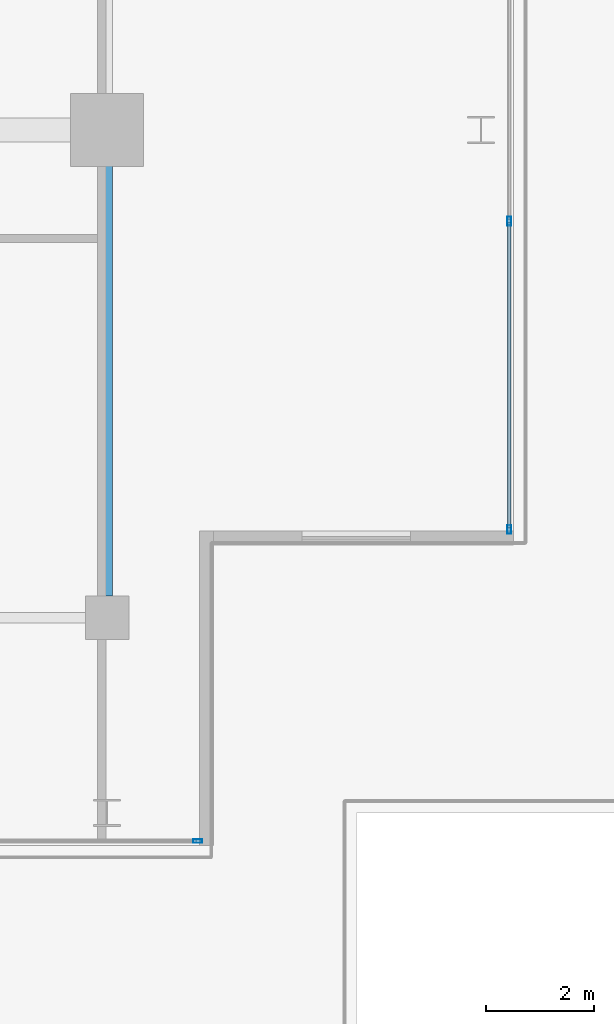
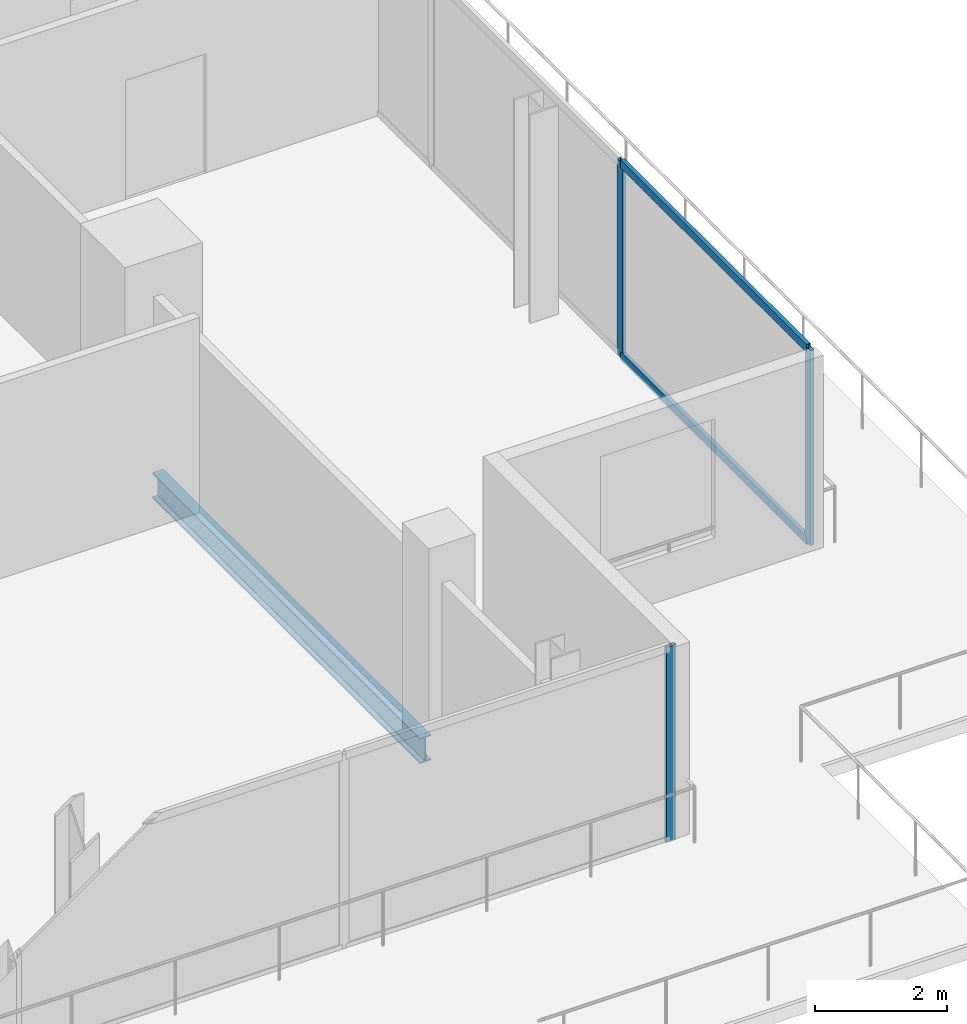
# One storey, part 9 of 21: 5 members, 1 beam, 2 elements without a shape of their own.
"""IFC4 building model written with IfcOpenShell, lengths in metres."""

from ifc_helpers import new_model, si_unit, direction, frame, origin, origin_2d, place, context, subcontext, project, spatial, hollow_rectangle, i_section, extrude, material, layer, layer_set, material_profile, profile_set, type_object, element, aggregate, save


model = new_model("IFC4")

# Units and contexts
model_context = context("Model", 3, precision=1e-05, world=origin(), true_north=direction((0.0, 1.0)))
body_context = subcontext(model_context, "Body", "Model", "MODEL_VIEW")
ifc_project = project(units=[si_unit("LENGTHUNIT", "METRE"), si_unit("AREAUNIT", "SQUARE_METRE"), si_unit("VOLUMEUNIT", "CUBIC_METRE"), si_unit("PLANEANGLEUNIT", "RADIAN"), si_unit("MASSUNIT", "GRAM", prefix="KILO")], contexts=[model_context])

# Site, building, storey
site_placement = place(None, origin())
site = spatial("IfcSite", under=ifc_project, at=site_placement, CompositionType="ELEMENT")
building_placement = place(site_placement, origin())
building = spatial("IfcBuilding", under=site, at=building_placement, Name="Maruvema Waterfront Hotel and Observation Tower", CompositionType="ELEMENT")
storey_placement = place(building_placement, frame((0.0, 0.0, 322.0)))
storey = spatial("IfcBuildingStorey", under=building, at=storey_placement, Name="L79", CompositionType="ELEMENT", Elevation=322.0)

# Curtain wall, members
ifc_material_1 = material(Name="Anodised bronze aluminium and solar-control low-E IGU", Category="aluminium")
ifc_layer = layer(ifc_material_1, 0.159912109375, Name="Zone 4 Sky Residence Inner Curtain Wall System CW-05")
ifc_layer_set = layer_set([ifc_layer], Name="Anodised bronze aluminium and solar-control low-E IGU")
curtain_wall_type = type_object("IfcCurtainWallType", Name="Zone 4 Sky Residence Inner Curtain Wall System CW-05", PredefinedType="USERDEFINED", material=ifc_layer_set)
curtain_wall_1_placement = place(storey_placement, origin())
curtain_wall_1 = element("IfcCurtainWall", 1, at=curtain_wall_1_placement, inside=storey, type_object=curtain_wall_type, Name="L79 Curtain Wall CW-L79-E", ObjectType="UNITISED CURTAIN WALL", PredefinedType="USERDEFINED")
ifc_material_2 = material(Name="Anodised architectural bronze aluminium", Category="aluminium")
ifc_material_profile_1 = material_profile(ifc_material_2, hollow_rectangle(XDim=0.070068359375, YDim=0.14990234375, WallThickness=0.00390625, at=origin_2d()), Name="ALU-T70x150")
ifc_profile_set_1 = profile_set([ifc_material_profile_1], Name="Anodised architectural bronze aluminium")
member_type_1 = type_object("IfcMemberType", Name="Curtain Wall Horizontal Transom ALU-T70x150", PredefinedType="USERDEFINED", material=ifc_profile_set_1)
member_1_placement = place(storey_placement, frame((57.820068359375, 19.659912109375, 0.030029296875), z_axis=(0.0, 1.0, 0.0), x_axis=(-1.0, 0.0, 0.0)))
member_1 = element("IfcMember", 2, at=member_1_placement, type_object=member_type_1, Name="CW-05 transom 1.1", ObjectType="TRANSOM", PredefinedType="USERDEFINED", context=body_context, shape_type="SweptSolid", body=[
    extrude(hollow_rectangle(XDim=0.070068359375, YDim=0.14990234375, WallThickness=0.00390625, at=origin_2d()), origin(), (0.0, 0.0, 1.0), 5.630126953125),
])
member_2_placement = place(storey_placement, frame((57.820068359375, 19.659912109375, 3.580078125), z_axis=(0.0, 1.0, 0.0), x_axis=(-1.0, 0.0, 0.0)))
member_2 = element("IfcMember", 3, at=member_2_placement, type_object=member_type_1, Name="CW-05 transom 1.2", ObjectType="TRANSOM", PredefinedType="USERDEFINED", context=body_context, shape_type="SweptSolid", body=[
    extrude(hollow_rectangle(XDim=0.070068359375, YDim=0.14990234375, WallThickness=0.00390625, at=origin_2d()), origin(), (0.0, 0.0, 1.0), 5.630126953125),
])

# Curtain wall, member
curtain_wall_2_placement = place(storey_placement, origin())
curtain_wall_2 = element("IfcCurtainWall", 4, at=curtain_wall_2_placement, inside=storey, type_object=curtain_wall_type, Name="L79 Curtain Wall CW-L79-SE", ObjectType="UNITISED CURTAIN WALL", PredefinedType="USERDEFINED")
ifc_material_3 = material(Name="Anodised architectural bronze aluminium", Category="aluminium")
ifc_material_profile_2 = material_profile(ifc_material_3, hollow_rectangle(XDim=0.06494140625, YDim=0.1650390625, WallThickness=0.00390625, at=origin_2d()), Name="ALU-M65x165")
ifc_profile_set_2 = profile_set([ifc_material_profile_2], Name="Anodised architectural bronze aluminium")
member_type_2 = type_object("IfcMemberType", Name="Curtain Wall Primary Mullion ALU-M65x165", PredefinedType="MULLION", material=ifc_profile_set_2)
member_3_placement = place(storey_placement, frame((52.070068359375, 13.8798828125, 0.0), z_axis=(0.0, 0.0, 1.0), x_axis=(0.0, 1.0, 0.0)))
member_3 = element("IfcMember", 5, at=member_3_placement, type_object=member_type_2, Name="CW-05 mullion 3", PredefinedType="MULLION", context=body_context, shape_type="SweptSolid", body=[
    extrude(hollow_rectangle(XDim=0.06494140625, YDim=0.1650390625, WallThickness=0.00390625, at=origin_2d()), origin(), (0.0, 0.0, 1.0), 3.610107421875),
])
aggregate(curtain_wall_2, [member_3])

# Member
member_4_placement = place(storey_placement, frame((57.820068359375, 19.6298828125, 0.0), z_axis=(0.0, 0.0, 1.0), x_axis=(-1.0, 0.0, 0.0)))
member_4 = element("IfcMember", 6, at=member_4_placement, type_object=member_type_2, Name="CW-05 mullion 1", PredefinedType="MULLION", context=body_context, shape_type="SweptSolid", body=[
    extrude(hollow_rectangle(XDim=0.06494140625, YDim=0.1650390625, WallThickness=0.00390625, at=origin_2d()), origin(), (0.0, 0.0, 1.0), 3.610107421875),
])

member_5_placement = place(storey_placement, frame((57.820068359375, 25.320068359375, 0.0), z_axis=(0.0, 0.0, 1.0), x_axis=(-1.0, 0.0, 0.0)))
member_5 = element("IfcMember", 7, at=member_5_placement, type_object=member_type_2, Name="CW-05 mullion 2", PredefinedType="MULLION", context=body_context, shape_type="SweptSolid", body=[
    extrude(hollow_rectangle(XDim=0.06494140625, YDim=0.1650390625, WallThickness=0.00390625, at=origin_2d()), origin(), (0.0, 0.0, 1.0), 3.610107421875),
])

aggregate(curtain_wall_1, [member_4, member_5, member_1, member_2])

# Beam
ifc_material_4 = material(Name="Steel ASTM A572 Grade 50", Category="steel")
ifc_material_profile_3 = material_profile(ifc_material_4, i_section(OverallWidth=0.194091796875, OverallDepth=0.468994140625, WebThickness=0.0126953125, FlangeThickness=0.0205078125, FilletRadius=0.014892578125, at=origin_2d()), Name="W460x106.0")
ifc_profile_set_3 = profile_set([ifc_material_profile_3], Name="Steel ASTM A572 Grade 50")
beam_type = type_object("IfcBeamType", Name="Primary Floor Girder W460x106.0", PredefinedType="BEAM", material=ifc_profile_set_3)
beam_placement = place(storey_placement, frame((50.39990234375, 18.39990234375, -0.474609375), z_axis=(0.0, 1.0, 0.0), x_axis=(-1.0, 0.0, 0.0)))
element("IfcBeam", 8, at=beam_placement, inside=storey, type_object=beam_type, Name="L79 Floor Girder NS-06", PredefinedType="BEAM", context=body_context, shape_type="SweptSolid", body=[
    extrude(i_section(OverallWidth=0.194091796875, OverallDepth=0.468994140625, WebThickness=0.0126953125, FlangeThickness=0.0205078125, FilletRadius=0.014892578125, at=origin_2d()), origin(), (0.0, 0.0, 1.0), 8.10009765625),
])

save(model, "model.ifc")
